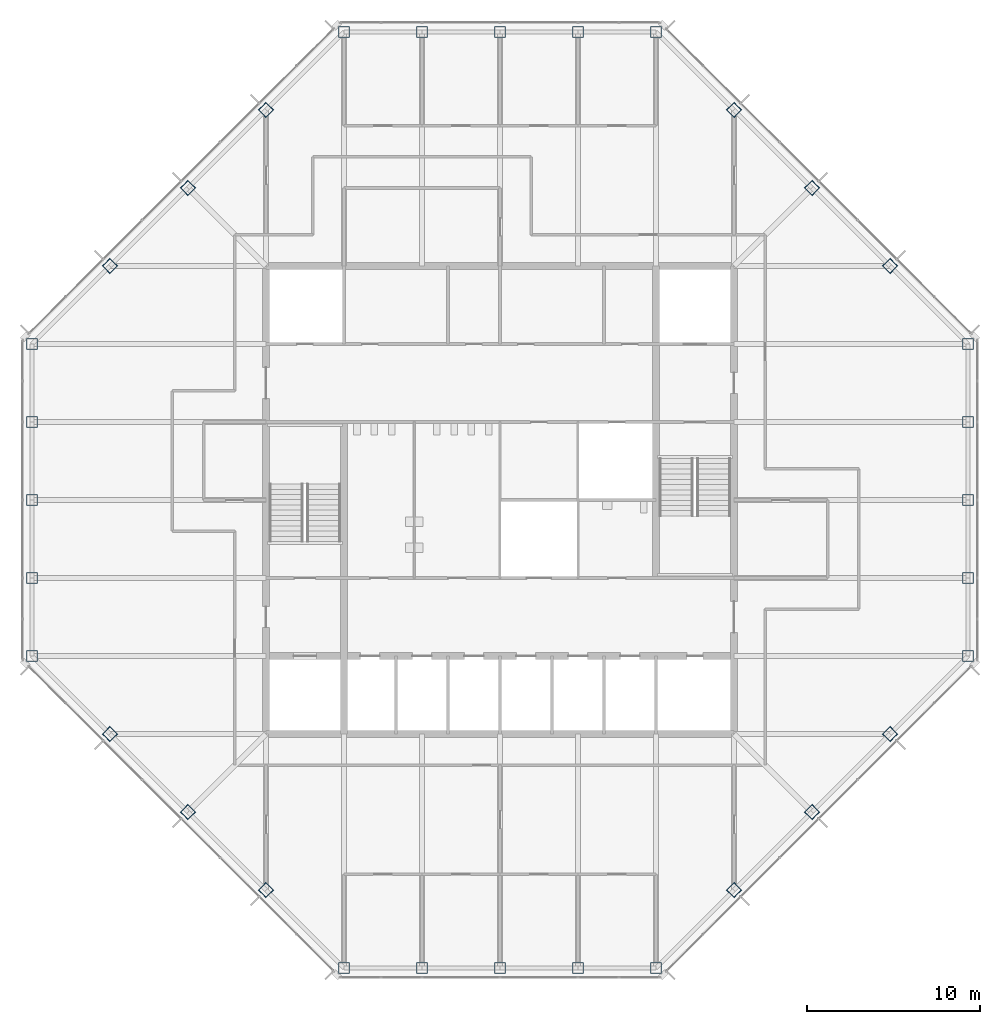
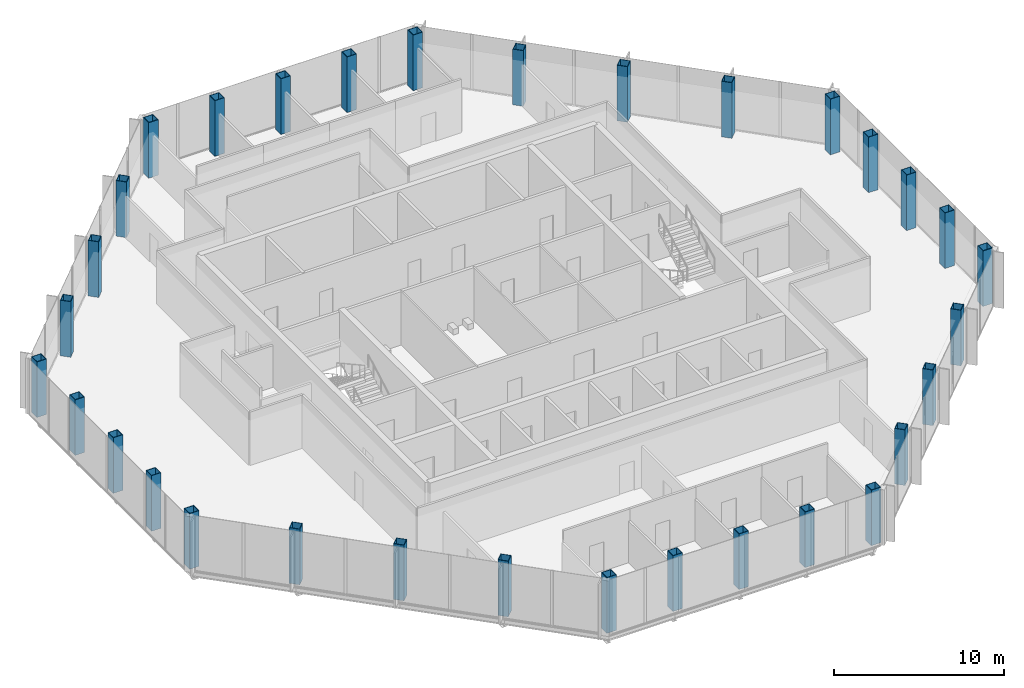
# One storey, part 1 of 14: 32 columns.
"""IFC4 building model written with IfcOpenShell, lengths in metres."""

import ifcopenshell
import ifcopenshell.guid

model = None  # the IFC model being written
_history = None  # IfcOwnerHistory: only IFC2X3 demands one
_inside = {}  # id of a spatial element -> (the spatial element, [elements in it])
_under = {}  # id of a project, library or spatial element -> (it, [spatial elements below it])
_declared = {}  # id of a project -> (the project, [libraries it declares])
_typed = {}  # id of a type object -> (the type object, [elements of that type])
_made_of = {}  # id of a material, layer set ... -> (it, [elements and type objects made of it])


def new_model(schema):
    """Start an empty IFC model of exactly this schema.

    Asked for "IFC4X3", IfcOpenShell would pick the latest addendum, in which some entities
    have other attributes; the version numbers below select the first issue.
    IFC2X3 requires an IfcOwnerHistory on every rooted entity: one is made here for all.
    """
    global model, _history
    if schema == "IFC4X3":
        model = ifcopenshell.file(schema_version=(4, 3, 0, 0))
    else:
        model = ifcopenshell.file(schema=schema)
    _inside.clear()
    _under.clear()
    _declared.clear()
    _typed.clear()
    _made_of.clear()
    _history = None
    if model.schema == "IFC2X3":
        org = make("IfcOrganization", Name="unknown")
        user = make(
            "IfcPersonAndOrganization",
            ThePerson=make("IfcPerson", FamilyName="unknown"),
            TheOrganization=org,
        )
        app = make(
            "IfcApplication",
            ApplicationDeveloper=org,
            Version="unknown",
            ApplicationFullName="unknown",
            ApplicationIdentifier="unknown",
        )
        _history = make(
            "IfcOwnerHistory",
            OwningUser=user,
            OwningApplication=app,
            ChangeAction="ADDED",
            CreationDate=0,
        )
    return model


def make(cls, **values):
    """One entity of the class cls with the attributes given. An attribute that is None is left unset."""
    return model.create_entity(
        cls, **{name: value for name, value in values.items() if value is not None}
    )


def rooted(cls, **values):
    """An entity with a GlobalId (a new one), such as an element, a storey or a relation."""
    return make(cls, GlobalId=ifcopenshell.guid.new(), OwnerHistory=_history, **values)


def si_unit(unit_type, name, prefix=None):
    """IfcSIUnit, for example si_unit("LENGTHUNIT", "METRE", prefix="MILLI")."""
    return make("IfcSIUnit", UnitType=unit_type, Prefix=prefix, Name=name)


def assignment(units):
    """IfcUnitAssignment: the units of a project."""
    return None if units is None else make("IfcUnitAssignment", Units=units)


def point(xyz):
    """IfcCartesianPoint."""
    return None if xyz is None else make("IfcCartesianPoint", Coordinates=xyz)


def direction(xyz):
    """IfcDirection."""
    return None if xyz is None else make("IfcDirection", DirectionRatios=xyz)


def frame(location, z_axis=None, x_axis=None):
    """IfcAxis2Placement3D, a coordinate frame: its origin and axes. An axis left out is left unset."""
    return make(
        "IfcAxis2Placement3D",
        Location=point(location),
        Axis=direction(z_axis),
        RefDirection=direction(x_axis),
    )


def frame_2d(location, x_axis=None):
    """IfcAxis2Placement2D, a coordinate frame in the plane: its origin and x axis."""
    return make(
        "IfcAxis2Placement2D", Location=point(location), RefDirection=direction(x_axis)
    )


def origin():
    """The frame at (0, 0, 0) with its axes left unset."""
    return frame((0.0, 0.0, 0.0))


def origin_2d():
    """The frame at (0, 0) in the plane with its x axis left unset."""
    return frame_2d((0.0, 0.0))


def place(relative_to, where):
    """IfcLocalPlacement: puts the frame where relative to a parent placement (None: the world)."""
    return make(
        "IfcLocalPlacement", PlacementRelTo=relative_to, RelativePlacement=where
    )


def context(
    kind, dimensions, precision=None, world=None, true_north=None, identifier=None
):
    """IfcGeometricRepresentationContext, for example the 3D "Model" context."""
    return make(
        "IfcGeometricRepresentationContext",
        ContextIdentifier=identifier,
        ContextType=kind,
        CoordinateSpaceDimension=dimensions,
        Precision=precision,
        WorldCoordinateSystem=world,
        TrueNorth=true_north,
    )


def subcontext(parent, identifier, kind, view, scale=None):
    """IfcGeometricRepresentationSubContext, for example "Body" below "Model"."""
    return make(
        "IfcGeometricRepresentationSubContext",
        ContextIdentifier=identifier,
        ContextType=kind,
        ParentContext=parent,
        TargetScale=scale,
        TargetView=view,
    )


def project(units=None, contexts=None):
    """IfcProject with its units and contexts."""
    return rooted(
        "IfcProject",
        Name="project",
        RepresentationContexts=contexts,
        UnitsInContext=assignment(units),
    )


def spatial(cls, under=None, at=None, **own):
    """A site, building, storey or space (cls), placed at a placement, below another one or the project."""
    s = rooted(cls, ObjectPlacement=at, **own)
    if under is not None:
        _under.setdefault(under.id(), (under, []))[1].append(s)
    return s


def profile(cls, at=None, kind="AREA", **sizes):
    """A parametric profile (cls). Its sizes go by their IFC names, for example OverallWidth=200.0."""
    return make(cls, ProfileType=kind, Position=at, **sizes)


def hollow_rectangle(**sizes):
    """IfcRectangleHollowProfileDef."""
    return profile("IfcRectangleHollowProfileDef", **sizes)


def extrude(swept, where, along, depth):
    """IfcExtrudedAreaSolid: the profile swept, set in the frame where, extruded along a direction by depth."""
    return make(
        "IfcExtrudedAreaSolid",
        SweptArea=swept,
        Position=where,
        ExtrudedDirection=direction(along),
        Depth=depth,
    )


def shape(context_of_items, identifier, shape_type, items):
    """IfcShapeRepresentation: the items that make up one representation, for example the "Body"."""
    return make(
        "IfcShapeRepresentation",
        ContextOfItems=context_of_items,
        RepresentationIdentifier=identifier,
        RepresentationType=shape_type,
        Items=items,
    )


def material(Name=None, Category=None):
    """IfcMaterial."""
    return make("IfcMaterial", Name=Name, Category=Category)


def material_profile(
    of_material, cross_section, Name=None, Category=None, Priority=None
):
    """IfcMaterialProfile: a cross section and its material."""
    return make(
        "IfcMaterialProfile",
        Name=Name,
        Material=of_material,
        Profile=cross_section,
        Priority=Priority,
        Category=Category,
    )


def profile_set(profiles, Name=None, composite=None):
    """IfcMaterialProfileSet."""
    return make(
        "IfcMaterialProfileSet",
        Name=Name,
        MaterialProfiles=profiles,
        CompositeProfile=composite,
    )


def made_of(thing, what):
    """Note that an element or type object is made of a material, layer set ...; save() writes the relation."""
    if what is not None:
        _made_of.setdefault(what.id(), (what, []))[1].append(thing)
    return thing


def type_object(cls, material=None, **own):
    """A type object (cls), such as IfcWallType, which elements share."""
    return made_of(rooted(cls, **own), material)


def element(
    cls,
    number,
    at=None,
    inside=None,
    cuts=None,
    type_object=None,
    material=None,
    context=None,
    identifier="Body",
    shape_type=None,
    held_by="IfcProductDefinitionShape",
    body=None,
    shapes=None,
    **own,
):
    """One element of the class cls, such as IfcWall. Its Tag is "e" and its number.

    at: its placement. inside: the storey or other place that contains it. cuts: it is an
    opening in that element (IfcRelVoidsElement). A single representation is given by context,
    identifier, shape_type and body (its items); several are given by shapes. held_by: the class
    of the entity that holds the representations. save() writes the other relations.
    """
    e = rooted(cls, Tag="e%d" % number, ObjectPlacement=at, **own)
    if body is not None:
        shapes = [shape(context, identifier, shape_type, body)]
    if shapes is not None:
        e.Representation = make(held_by, Representations=shapes)
    if inside is not None:
        _inside.setdefault(inside.id(), (inside, []))[1].append(e)
    if cuts is not None:
        rooted(
            "IfcRelVoidsElement", RelatingBuildingElement=cuts, RelatedOpeningElement=e
        )
    if type_object is not None:
        _typed.setdefault(type_object.id(), (type_object, []))[1].append(e)
    return made_of(e, material)


def aggregate(whole, parts):
    """IfcRelAggregates: a whole, such as a stair, and the parts it consists of."""
    return rooted("IfcRelAggregates", RelatingObject=whole, RelatedObjects=parts)


def save(model, path):
    """Write the relations noted so far, then the file.

    IfcRelAggregates (storeys below a building ...), IfcRelContainedInSpatialStructure (elements
    in a storey), IfcRelDefinesByType, IfcRelAssociatesMaterial and IfcRelDeclares: one each for
    every whole, place, type object, material and project.
    """
    for whole, parts in _under.values():
        aggregate(whole, parts)
    for where, things in _inside.values():
        rooted(
            "IfcRelContainedInSpatialStructure",
            RelatedElements=things,
            RelatingStructure=where,
        )
    for kind, things in _typed.values():
        rooted("IfcRelDefinesByType", RelatedObjects=things, RelatingType=kind)
    for what, things in _made_of.values():
        rooted("IfcRelAssociatesMaterial", RelatedObjects=things, RelatingMaterial=what)
    for by, libraries in _declared.values():
        rooted("IfcRelDeclares", RelatingContext=by, RelatedDefinitions=libraries)
    model.write(path)


model = new_model("IFC4")

# Units and contexts
model_context = context("Model", 3, precision=1e-05, world=origin(), true_north=direction((0.0, 1.0)))
body_context = subcontext(model_context, "Body", "Model", "MODEL_VIEW")
ifc_project = project(units=[si_unit("LENGTHUNIT", "METRE"), si_unit("AREAUNIT", "SQUARE_METRE"), si_unit("VOLUMEUNIT", "CUBIC_METRE"), si_unit("PLANEANGLEUNIT", "RADIAN"), si_unit("MASSUNIT", "GRAM", prefix="KILO")], contexts=[model_context])

# Site, building, storey
site_placement = place(None, origin())
site = spatial("IfcSite", under=ifc_project, at=site_placement, CompositionType="ELEMENT")
building_placement = place(site_placement, origin())
building = spatial("IfcBuilding", under=site, at=building_placement, Name="Corais Broadcast Tower", CompositionType="ELEMENT")
storey_placement = place(building_placement, frame((0.0, 0.0, 246.60009765625)))
storey = spatial("IfcBuildingStorey", under=building, at=storey_placement, Name="L57", CompositionType="ELEMENT", Elevation=246.60009765625)

# Columns
ifc_material = material(Name="Steel ASTM A572 Grade 50", Category="steel")
ifc_material_profile = material_profile(ifc_material, hollow_rectangle(XDim=0.64990234375, YDim=0.64990234375, WallThickness=0.031982421875, at=origin_2d()), Name="BOX 650x650x32")
ifc_profile_set = profile_set([ifc_material_profile], Name="Steel ASTM A572 Grade 50")
column_type = type_object("IfcColumnType", Name="Column BOX 650x650x32", PredefinedType="COLUMN", material=ifc_profile_set)
for number, where, z_axis, x_axis, name in (
    (1, (18.0, 0.0, 0.0), (0.0, 0.0, 1.0), (1.0, 0.0, 0.0), "C6 A/7"),
    (2, (22.5, 0.0, 0.0), (0.0, 0.0, 1.0), (1.0, 0.0, 0.0), "C6 A/8"),
    (3, (27.0, 0.0, 0.0), (0.0, 0.0, 1.0), (1.0, 0.0, 0.0), "C6 A/9"),
    (4, (31.5, 0.0, 0.0), (0.0, 0.0, 1.0), (1.0, 0.0, 0.0), "C6 A/10"),
    (5, (36.0, 0.0, 0.0), (0.0, 0.0, 1.0), (1.0, 0.0, 0.0), "C6 A/11"),
    (6, (54.0, 18.0, 0.0), (0.0, 0.0, 1.0), (1.0, 0.0, 0.0), "C6 E/15"),
    (7, (54.0, 22.5, 0.0), (0.0, 0.0, 1.0), (1.0, 0.0, 0.0), "C6 F/15"),
    (8, (54.0, 27.0, 0.0), (0.0, 0.0, 1.0), (1.0, 0.0, 0.0), "C6 G/15"),
    (9, (54.0, 31.5, 0.0), (0.0, 0.0, 1.0), (1.0, 0.0, 0.0), "C6 H/15"),
    (10, (54.0, 36.0, 0.0), (0.0, 0.0, 1.0), (1.0, 0.0, 0.0), "C6 J/15"),
    (11, (36.0, 54.0, 0.0), (0.0, 0.0, 1.0), (1.0, 0.0, 0.0), "C6 N/11"),
    (12, (31.5, 54.0, 0.0), (0.0, 0.0, 1.0), (1.0, 0.0, 0.0), "C6 N/10"),
    (13, (27.0, 54.0, 0.0), (0.0, 0.0, 1.0), (1.0, 0.0, 0.0), "C6 N/9"),
    (14, (22.5, 54.0, 0.0), (0.0, 0.0, 1.0), (1.0, 0.0, 0.0), "C6 N/8"),
    (15, (18.0, 54.0, 0.0), (0.0, 0.0, 1.0), (1.0, 0.0, 0.0), "C6 N/7"),
    (16, (0.0, 36.0, 0.0), (0.0, 0.0, 1.0), (1.0, 0.0, 0.0), "C6 J/3"),
    (17, (0.0, 31.5, 0.0), (0.0, 0.0, 1.0), (1.0, 0.0, 0.0), "C6 H/3"),
    (18, (0.0, 27.0, 0.0), (0.0, 0.0, 1.0), (1.0, 0.0, 0.0), "C6 G/3"),
    (19, (0.0, 22.5, 0.0), (0.0, 0.0, 1.0), (1.0, 0.0, 0.0), "C6 F/3"),
    (20, (0.0, 18.0, 0.0), (0.0, 0.0, 1.0), (1.0, 0.0, 0.0), "C6 E/3"),
    (21, (13.5, 4.5, 0.0), (0.0, 0.0, 1.0), (0.707106781187, 0.707106781187, 0.0), "C6 B/6"),
    (22, (9.0, 9.0, 0.0), (0.0, 0.0, 1.0), (0.707106781187, 0.707106781187, 0.0), "C6 C/5"),
    (23, (4.5, 13.5, 0.0), (0.0, 0.0, 1.0), (0.707106781187, 0.707106781187, 0.0), "C6 D/4"),
    (24, (40.5, 4.5, 0.0), (0.0, 0.0, 1.0), (0.707106781187, 0.707106781187, 0.0), "C6 B/12"),
    (25, (45.0, 9.0, 0.0), (0.0, 0.0, 1.0), (0.707106781187, 0.707106781187, 0.0), "C6 C/13"),
    (26, (49.5, 13.5, 0.0), (0.0, 0.0, 1.0), (0.707106781187, 0.707106781187, 0.0), "C6 D/14"),
    (27, (49.5, 40.5, 0.0), (0.0, 0.0, 1.0), (0.707106781187, 0.707106781187, 0.0), "C6 K/14"),
    (28, (45.0, 45.0, 0.0), (0.0, 0.0, 1.0), (0.707106781187, 0.707106781187, 0.0), "C6 L/13"),
    (29, (40.5, 49.5, 0.0), (0.0, 0.0, 1.0), (0.707106781187, 0.707106781187, 0.0), "C6 M/12"),
    (30, (4.5, 40.5, 0.0), (0.0, 0.0, 1.0), (0.707106781187, 0.707106781187, 0.0), "C6 K/4"),
    (31, (9.0, 45.0, 0.0), (0.0, 0.0, 1.0), (0.707106781187, 0.707106781187, 0.0), "C6 L/5"),
    (32, (13.5, 49.5, 0.0), (0.0, 0.0, 1.0), (0.707106781187, 0.707106781187, 0.0), "C6 M/6"),
):
    element("IfcColumn", number, at=place(storey_placement, frame(where, z_axis=z_axis, x_axis=x_axis)), inside=storey, type_object=column_type, Name=name, PredefinedType="COLUMN", context=body_context, shape_type="SweptSolid", body=[
        extrude(hollow_rectangle(XDim=0.64990234375, YDim=0.64990234375, WallThickness=0.031982421875, at=origin_2d()), origin(), (0.0, 0.0, 1.0), 4.0),
    ])

save(model, "model.ifc")
